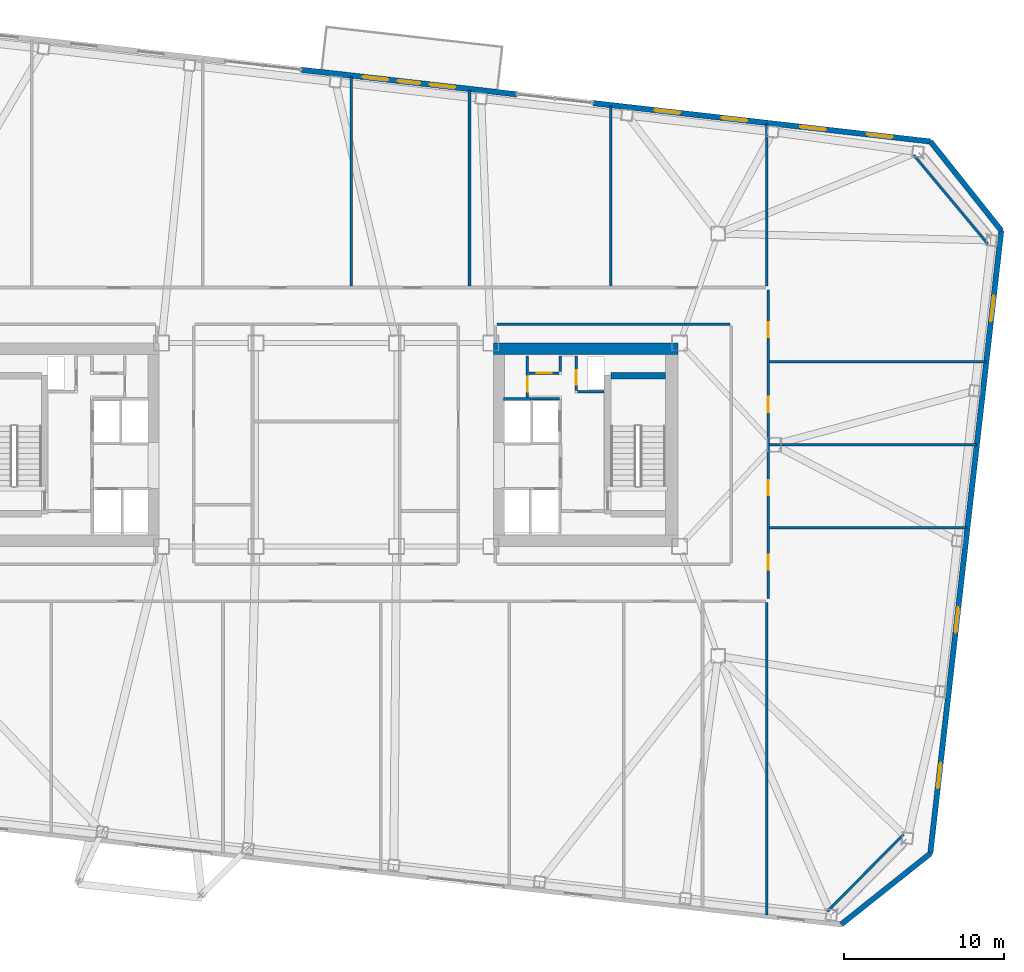
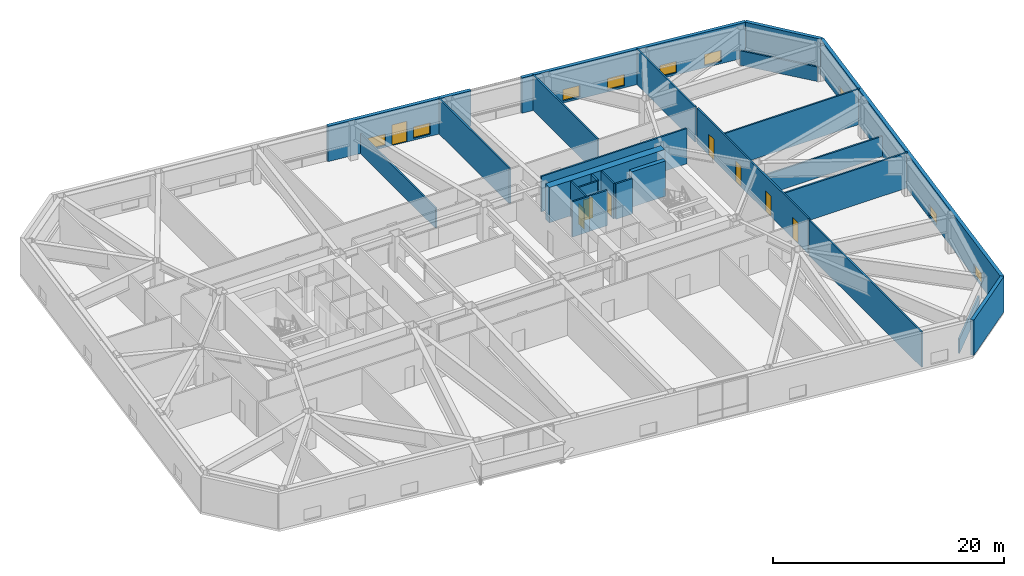
# One storey, part 14 of 21: 26 walls, 9 windows, 8 doors, 17 openings.
"""IFC4 building model written with IfcOpenShell, lengths in metres."""

from ifc_helpers import new_model, si_unit, direction, frame, frame_2d, origin, place, context, subcontext, project, spatial, rectangle, extrude, material, layer, layer_set, type_object, element, fill, save


model = new_model("IFC4")

# Units and contexts
model_context = context("Model", 3, precision=1e-05, world=origin(), true_north=direction((0.0, 1.0)))
body_context = subcontext(model_context, "Body", "Model", "MODEL_VIEW")
ifc_project = project(units=[si_unit("LENGTHUNIT", "METRE"), si_unit("AREAUNIT", "SQUARE_METRE"), si_unit("VOLUMEUNIT", "CUBIC_METRE"), si_unit("PLANEANGLEUNIT", "RADIAN"), si_unit("MASSUNIT", "GRAM", prefix="KILO")], contexts=[model_context])

# Site, building, storey
site_placement = place(None, origin())
site = spatial("IfcSite", under=ifc_project, at=site_placement, CompositionType="ELEMENT")
building_placement = place(site_placement, origin())
building = spatial("IfcBuilding", under=site, at=building_placement, Name="Tavrogorsk Clinical Tower", CompositionType="ELEMENT")
storey_placement = place(building_placement, frame((0.0, 0.0, 89.39990234375)))
storey = spatial("IfcBuildingStorey", under=building, at=storey_placement, Name="L19", CompositionType="ELEMENT", Elevation=89.39990234375)

# Wall, opening, door
ifc_material_1 = material(Name="Lightweight concrete blockwork B15", Category="masonry")
ifc_layer_1 = layer(ifc_material_1, 0.159912109375)
ifc_layer_set_1 = layer_set([ifc_layer_1], Name="Lightweight concrete blockwork B15")
wall_type_1 = type_object("IfcWallType", Name="PartitionWall_160", PredefinedType="PARTITIONING", material=ifc_layer_set_1)
wall_1_placement = place(storey_placement, frame((12.580078125, 2.9599609375, 0.0), z_axis=(0.0, 0.0, 1.0), x_axis=(0.0, 1.0, 0.0)))
wall_1 = element("IfcWall", 1, at=wall_1_placement, inside=storey, type_object=wall_type_1, Name="L19 Core East Linen Closet Wall", PredefinedType="PARTITIONING", context=body_context, shape_type="SweptSolid", body=[
    extrude(rectangle(XDim=2.60009765625, YDim=0.159912109375, at=frame_2d((1.300048828125, 0.0))), origin(), (0.0, 0.0, 1.0), 3.739990234375),
])
opening_1_placement = place(wall_1_placement, frame((0.35009765625, 0.0, 0.0)))
opening_1 = element("IfcOpeningElement", 2, at=opening_1_placement, cuts=wall_1, Name="Opening ID-02", PredefinedType="OPENING", context=body_context, shape_type="SweptSolid", body=[
    extrude(rectangle(XDim=0.949951171875, YDim=2.199951171875, at=frame_2d((0.47509765625, 1.10009765625))), frame((0.0, 0.08984375, 0.0), z_axis=(0.0, -1.0, 0.0), x_axis=(1.0, 0.0, 0.0)), (0.0, 0.0, 1.0), 0.179931640625),
])
ifc_material_2 = material(Name="Laminated timber leaf on aluminium frame", Category="wood")
door_type_1 = type_object("IfcDoorType", Name="InteriorDoor_ID02_950", OperationType="NOTDEFINED", PredefinedType="DOOR", material=ifc_material_2)
door_1_placement = place(opening_1_placement, origin())
door_1 = element("IfcDoor", 3, at=door_1_placement, inside=storey, type_object=door_type_1, Name="L19 Core East Linen Closet Door", OperationType="SINGLE_SWING_RIGHT", OverallHeight=2.199951171875, OverallWidth=0.949951171875, PredefinedType="DOOR", context=body_context, shape_type="SweptSolid", body=[
    extrude(rectangle(XDim=0.949951171875, YDim=2.199951171875, at=frame_2d((0.47509765625, 1.10009765625))), frame((0.0, 0.02490234375, 0.0), z_axis=(0.0, -1.0, 0.0), x_axis=(1.0, 0.0, 0.0)), (0.0, 0.0, 1.0), 0.050048828125),
])
fill(opening_1, door_1)

wall_2_placement = place(storey_placement, frame((12.6650390625, 4.47998046875, 0.0), z_axis=(0.0, 0.0, 1.0), x_axis=(1.0, 0.0, 0.0)))
wall_2 = element("IfcWall", 4, at=wall_2_placement, inside=storey, type_object=wall_type_1, Name="L19 Core East Housekeeping South Wall", PredefinedType="PARTITIONING", context=body_context, shape_type="SweptSolid", body=[
    extrude(rectangle(XDim=1.889892578125, YDim=0.159912109375, at=frame_2d((0.94482421875, 0.0))), origin(), (0.0, 0.0, 1.0), 3.739990234375),
])
opening_2_placement = place(wall_2_placement, frame((0.5, 0.0, 0.0)))
opening_2 = element("IfcOpeningElement", 5, at=opening_2_placement, cuts=wall_2, Name="Opening ID-02", PredefinedType="OPENING", context=body_context, shape_type="SweptSolid", body=[
    extrude(rectangle(XDim=0.949951171875, YDim=2.199951171875, at=frame_2d((0.47509765625, 1.10009765625))), frame((0.0, 0.08984375, 0.0), z_axis=(0.0, -1.0, 0.0), x_axis=(1.0, 0.0, 0.0)), (0.0, 0.0, 1.0), 0.179931640625),
])
door_2_placement = place(opening_2_placement, origin())
door_2 = element("IfcDoor", 6, at=door_2_placement, inside=storey, type_object=door_type_1, Name="L19 Core East Housekeeping Closet Door", OperationType="SINGLE_SWING_LEFT", OverallHeight=2.199951171875, OverallWidth=0.949951171875, PredefinedType="DOOR", context=body_context, shape_type="SweptSolid", body=[
    extrude(rectangle(XDim=0.949951171875, YDim=2.199951171875, at=frame_2d((0.47509765625, 1.10009765625))), frame((0.0, 0.02490234375, 0.0), z_axis=(0.0, -1.0, 0.0), x_axis=(1.0, 0.0, 0.0)), (0.0, 0.0, 1.0), 0.050048828125),
])
fill(opening_2, door_2)

# Walls
wall_3_placement = place(storey_placement, frame((14.639892578125, 4.56494140625, 0.0), z_axis=(0.0, 0.0, 1.0), x_axis=(0.0, 1.0, 0.0)))
element("IfcWall", 7, at=wall_3_placement, inside=storey, type_object=wall_type_1, Name="L19 Core East Housekeeping East Wall", PredefinedType="PARTITIONING", context=body_context, shape_type="SweptSolid", body=[
    extrude(rectangle(XDim=0.9951171875, YDim=0.159912109375, at=frame_2d((0.49755859375, 0.0))), origin(), (0.0, 0.0, 1.0), 3.739990234375),
])
wall_4_placement = place(storey_placement, frame((31.34130859375, -29.162109375, 0.0), z_axis=(0.0, 0.0, 1.0), x_axis=(0.702905898933, 0.711282853192, 0.0)))
element("IfcWall", 8, at=wall_4_placement, inside=storey, type_object=wall_type_1, Name="L19 Corner Exoskeleton Brace Furring Wall 1", PredefinedType="PARTITIONING", context=body_context, shape_type="SweptSolid", body=[
    extrude(rectangle(XDim=6.761474609375, YDim=0.159912109375, at=frame_2d((3.380859375, 0.0))), origin(), (0.0, 0.0, 1.0), 1.53515625),
])
wall_5_placement = place(storey_placement, frame((41.36083984375, 12.555908203125, 0.0), z_axis=(0.0, 0.0, 1.0), x_axis=(-0.640217638562, 0.768193579298, 0.0)))
element("IfcWall", 9, at=wall_5_placement, inside=storey, type_object=wall_type_1, Name="L19 Corner Exoskeleton Brace Furring Wall 2", PredefinedType="PARTITIONING", context=body_context, shape_type="SweptSolid", body=[
    extrude(rectangle(XDim=7.224365234375, YDim=0.159912109375, at=frame_2d((3.6123046875, 0.0))), origin(), (0.0, 0.0, 1.0), 1.53515625),
])

# Wall, openings, doors
wall_6_placement = place(storey_placement, frame((27.6298828125, 9.6650390625, 0.0), z_axis=(0.0, 0.0, 1.0), x_axis=(0.0, -1.0, 0.0)))
wall_6 = element("IfcWall", 10, at=wall_6_placement, inside=storey, type_object=wall_type_1, Name="L19 Corridor Partition 03", PredefinedType="PARTITIONING", context=body_context, shape_type="SweptSolid", body=[
    extrude(rectangle(XDim=19.280029296875, YDim=0.159912109375, at=frame_2d((9.64013671875, 0.0))), origin(), (0.0, 0.0, 1.0), 3.739990234375),
])
opening_3_placement = place(wall_6_placement, frame((16.531005859375, 0.0, 0.0)))
opening_3 = element("IfcOpeningElement", 11, at=opening_3_placement, cuts=wall_6, Name="Opening ID-02", PredefinedType="OPENING", context=body_context, shape_type="SweptSolid", body=[
    extrude(rectangle(XDim=0.949951171875, YDim=2.199951171875, at=frame_2d((0.47509765625, 1.10009765625))), frame((0.0, 0.08984375, 0.0), z_axis=(0.0, -1.0, 0.0), x_axis=(1.0, 0.0, 0.0)), (0.0, 0.0, 1.0), 0.179931640625),
])
opening_4_placement = place(wall_6_placement, frame((11.875, 0.0, 0.0)))
opening_4 = element("IfcOpeningElement", 12, at=opening_4_placement, cuts=wall_6, Name="Opening ID-02", PredefinedType="OPENING", context=body_context, shape_type="SweptSolid", body=[
    extrude(rectangle(XDim=0.949951171875, YDim=2.199951171875, at=frame_2d((0.47509765625, 1.10009765625))), frame((0.0, 0.08984375, 0.0), z_axis=(0.0, -1.0, 0.0), x_axis=(1.0, 0.0, 0.0)), (0.0, 0.0, 1.0), 0.179931640625),
])
opening_5_placement = place(wall_6_placement, frame((6.675048828125, 0.0, 0.0)))
opening_5 = element("IfcOpeningElement", 13, at=opening_5_placement, cuts=wall_6, Name="Opening ID-02", PredefinedType="OPENING", context=body_context, shape_type="SweptSolid", body=[
    extrude(rectangle(XDim=0.949951171875, YDim=2.199951171875, at=frame_2d((0.47509765625, 1.10009765625))), frame((0.0, 0.08984375, 0.0), z_axis=(0.0, -1.0, 0.0), x_axis=(1.0, 0.0, 0.0)), (0.0, 0.0, 1.0), 0.179931640625),
])
opening_6_placement = place(wall_6_placement, frame((1.994140625, 0.0, 0.0)))
opening_6 = element("IfcOpeningElement", 14, at=opening_6_placement, cuts=wall_6, Name="Opening ID-02", PredefinedType="OPENING", context=body_context, shape_type="SweptSolid", body=[
    extrude(rectangle(XDim=0.949951171875, YDim=2.199951171875, at=frame_2d((0.47509765625, 1.10009765625))), frame((0.0, 0.08984375, 0.0), z_axis=(0.0, -1.0, 0.0), x_axis=(1.0, 0.0, 0.0)), (0.0, 0.0, 1.0), 0.179931640625),
])
door_3_placement = place(opening_3_placement, origin())
door_3 = element("IfcDoor", 15, at=door_3_placement, inside=storey, type_object=door_type_1, Name="L19 E Senior Clinician Suite 1 Door", OperationType="SINGLE_SWING_RIGHT", OverallHeight=2.199951171875, OverallWidth=0.949951171875, PredefinedType="DOOR", context=body_context, shape_type="SweptSolid", body=[
    extrude(rectangle(XDim=0.949951171875, YDim=2.199951171875, at=frame_2d((0.47509765625, 1.10009765625))), frame((0.0, 0.02490234375, 0.0), z_axis=(0.0, -1.0, 0.0), x_axis=(1.0, 0.0, 0.0)), (0.0, 0.0, 1.0), 0.050048828125),
])
fill(opening_3, door_3)
door_4_placement = place(opening_4_placement, origin())
door_4 = element("IfcDoor", 16, at=door_4_placement, inside=storey, type_object=door_type_1, Name="L19 E Multidisciplinary Seminar Suite 2 Door", OperationType="SINGLE_SWING_LEFT", OverallHeight=2.199951171875, OverallWidth=0.949951171875, PredefinedType="DOOR", context=body_context, shape_type="SweptSolid", body=[
    extrude(rectangle(XDim=0.949951171875, YDim=2.199951171875, at=frame_2d((0.47509765625, 1.10009765625))), frame((0.0, 0.02490234375, 0.0), z_axis=(0.0, -1.0, 0.0), x_axis=(1.0, 0.0, 0.0)), (0.0, 0.0, 1.0), 0.050048828125),
])
fill(opening_4, door_4)
door_5_placement = place(opening_5_placement, origin())
door_5 = element("IfcDoor", 17, at=door_5_placement, inside=storey, type_object=door_type_1, Name="L19 E Specialist Consultation Room 3 Door", OperationType="SINGLE_SWING_RIGHT", OverallHeight=2.199951171875, OverallWidth=0.949951171875, PredefinedType="DOOR", context=body_context, shape_type="SweptSolid", body=[
    extrude(rectangle(XDim=0.949951171875, YDim=2.199951171875, at=frame_2d((0.47509765625, 1.10009765625))), frame((0.0, 0.02490234375, 0.0), z_axis=(0.0, -1.0, 0.0), x_axis=(1.0, 0.0, 0.0)), (0.0, 0.0, 1.0), 0.050048828125),
])
fill(opening_5, door_5)
door_6_placement = place(opening_6_placement, origin())
door_6 = element("IfcDoor", 18, at=door_6_placement, inside=storey, type_object=door_type_1, Name="L19 E Clinical Fellows' Study 4 Door", OperationType="SINGLE_SWING_LEFT", OverallHeight=2.199951171875, OverallWidth=0.949951171875, PredefinedType="DOOR", context=body_context, shape_type="SweptSolid", body=[
    extrude(rectangle(XDim=0.949951171875, YDim=2.199951171875, at=frame_2d((0.47509765625, 1.10009765625))), frame((0.0, 0.02490234375, 0.0), z_axis=(0.0, -1.0, 0.0), x_axis=(1.0, 0.0, 0.0)), (0.0, 0.0, 1.0), 0.050048828125),
])
fill(opening_6, door_6)

# Walls
wall_7_placement = place(storey_placement, frame((25.235107421875, 7.52001953125, 0.0), z_axis=(0.0, 0.0, 1.0), x_axis=(-1.0, 0.0, 0.0)))
element("IfcWall", 19, at=wall_7_placement, inside=storey, type_object=wall_type_1, Name="L19 Corridor Partition 05", PredefinedType="PARTITIONING", context=body_context, shape_type="SweptSolid", body=[
    extrude(rectangle(XDim=14.570068359375, YDim=0.159912109375, at=frame_2d((7.28515625, 0.0))), origin(), (0.0, 0.0, 1.0), 3.739990234375),
])
wall_8_placement = place(storey_placement, frame((27.550048828125, 9.9150390625, 0.0), z_axis=(0.0, 0.0, 1.0), x_axis=(0.0, 1.0, 0.0)))
element("IfcWall", 20, at=wall_8_placement, inside=storey, type_object=wall_type_1, Name="L19 NE Wing Closure Partition", PredefinedType="PARTITIONING", context=body_context, shape_type="SweptSolid", body=[
    extrude(rectangle(XDim=10.138427734375, YDim=0.159912109375, at=frame_2d((5.0693359375, 0.0))), origin(), (0.0, 0.0, 1.0), 3.739990234375),
])
wall_9_placement = place(storey_placement, frame((27.550048828125, -29.384521484375, 0.0), z_axis=(0.0, 0.0, 1.0), x_axis=(0.0, 1.0, 0.0)))
element("IfcWall", 21, at=wall_9_placement, inside=storey, type_object=wall_type_1, Name="L19 SE Wing Closure Partition", PredefinedType="PARTITIONING", context=body_context, shape_type="SweptSolid", body=[
    extrude(rectangle(XDim=19.51953125, YDim=0.159912109375, at=frame_2d((9.759765625, 0.0))), origin(), (0.0, 0.0, 1.0), 3.739990234375),
])
wall_10_placement = place(storey_placement, frame((1.56005859375, 9.9150390625, 0.0), z_axis=(0.0, 0.0, 1.0), x_axis=(0.0, 1.0, 0.0)))
element("IfcWall", 22, at=wall_10_placement, inside=storey, type_object=wall_type_1, Name="L19 North Room Partition 2", PredefinedType="PARTITIONING", context=body_context, shape_type="SweptSolid", body=[
    extrude(rectangle(XDim=13.099609375, YDim=0.159912109375, at=frame_2d((6.5498046875, 0.0))), origin(), (0.0, 0.0, 1.0), 2.135009765625),
])
wall_11_placement = place(storey_placement, frame((8.9599609375, 9.9150390625, 0.0), z_axis=(0.0, 0.0, 1.0), x_axis=(0.0, 1.0, 0.0)))
element("IfcWall", 23, at=wall_11_placement, inside=storey, type_object=wall_type_1, Name="L19 North Room Partition 3", PredefinedType="PARTITIONING", context=body_context, shape_type="SweptSolid", body=[
    extrude(rectangle(XDim=12.25634765625, YDim=0.159912109375, at=frame_2d((6.128173828125, 0.0))), origin(), (0.0, 0.0, 1.0), 3.739990234375),
])
wall_12_placement = place(storey_placement, frame((17.800048828125, 9.9150390625, 0.0), z_axis=(0.0, 0.0, 1.0), x_axis=(0.0, 1.0, 0.0)))
element("IfcWall", 24, at=wall_12_placement, inside=storey, type_object=wall_type_1, Name="L19 North Room Partition 4", PredefinedType="PARTITIONING", context=body_context, shape_type="SweptSolid", body=[
    extrude(rectangle(XDim=11.249267578125, YDim=0.159912109375, at=frame_2d((5.62451171875, 0.0))), origin(), (0.0, 0.0, 1.0), 3.739990234375),
])
wall_13_placement = place(storey_placement, frame((27.715087890625, -5.199951171875, 0.0), z_axis=(0.0, 0.0, 1.0), x_axis=(1.0, 0.0, 0.0)))
element("IfcWall", 25, at=wall_13_placement, inside=storey, type_object=wall_type_1, Name="L19 E Wing Divider 1", PredefinedType="PARTITIONING", context=body_context, shape_type="SweptSolid", body=[
    extrude(rectangle(XDim=12.35205078125, YDim=0.159912109375, at=frame_2d((6.176025390625, 0.0))), origin(), (0.0, 0.0, 1.0), 3.739990234375),
])
wall_14_placement = place(storey_placement, frame((27.715087890625, 0.0, 0.0), z_axis=(0.0, 0.0, 1.0), x_axis=(1.0, 0.0, 0.0)))
element("IfcWall", 26, at=wall_14_placement, inside=storey, type_object=wall_type_1, Name="L19 E Wing Divider 2", PredefinedType="PARTITIONING", context=body_context, shape_type="SweptSolid", body=[
    extrude(rectangle(XDim=12.944580078125, YDim=0.159912109375, at=frame_2d((6.47216796875, 0.0))), origin(), (0.0, 0.0, 1.0), 2.135009765625),
])
wall_15_placement = place(storey_placement, frame((27.715087890625, 5.199951171875, 0.0), z_axis=(0.0, 0.0, 1.0), x_axis=(1.0, 0.0, 0.0)))
element("IfcWall", 27, at=wall_15_placement, inside=storey, type_object=wall_type_1, Name="L19 E Wing Divider 3", PredefinedType="PARTITIONING", context=body_context, shape_type="SweptSolid", body=[
    extrude(rectangle(XDim=13.537109375, YDim=0.159912109375, at=frame_2d((6.7685546875, 0.0))), origin(), (0.0, 0.0, 1.0), 3.739990234375),
])

# Wall, openings, windows
ifc_material_3 = material(Name="Precast concrete B45 with limestone cladding", Category="masonry")
ifc_layer_2 = layer(ifc_material_3, 0.340087890625)
ifc_layer_set_2 = layer_set([ifc_layer_2], Name="Precast concrete B45 with limestone cladding")
wall_type_2 = type_object("IfcWallType", Name="PrecastLimestoneWall_340", PredefinedType="STANDARD", material=ifc_layer_set_2)
wall_16_placement = place(storey_placement, frame((37.77734375, 18.95849609375, 0.0), z_axis=(0.0, 0.0, 1.0), x_axis=(-0.993571362037, 0.113207546299, 0.0)))
wall_16 = element("IfcWall", 28, at=wall_16_placement, inside=storey, type_object=wall_type_2, Name="L19 N Limestone Facade Wall 1", PredefinedType="STANDARD", context=body_context, shape_type="SweptSolid", body=[
    extrude(rectangle(XDim=21.222900390625, YDim=0.340087890625, at=frame_2d((10.611328125, 0.0))), origin(), (0.0, 0.0, 1.0), 3.739990234375),
])
opening_7_placement = place(wall_16_placement, frame((15.75634765625, 0.0, 0.219970703125)))
opening_7 = element("IfcOpeningElement", 29, at=opening_7_placement, cuts=wall_16, Name="Opening WN-09", PredefinedType="OPENING", context=body_context, shape_type="SweptSolid", body=[
    extrude(rectangle(XDim=1.60009765625, YDim=1.199951171875, at=frame_2d((0.800048828125, 0.60009765625))), frame((0.0, 0.179931640625, 0.0), z_axis=(0.0, -1.0, 0.0), x_axis=(1.0, 0.0, 0.0)), (0.0, 0.0, 1.0), 0.360107421875),
])
opening_8_placement = place(wall_16_placement, frame((11.534912109375, 0.0, 0.219970703125)))
opening_8 = element("IfcOpeningElement", 30, at=opening_8_placement, cuts=wall_16, Name="Opening WN-09", PredefinedType="OPENING", context=body_context, shape_type="SweptSolid", body=[
    extrude(rectangle(XDim=1.60009765625, YDim=1.199951171875, at=frame_2d((0.800048828125, 0.60009765625))), frame((0.0, 0.179931640625, 0.0), z_axis=(0.0, -1.0, 0.0), x_axis=(1.0, 0.0, 0.0)), (0.0, 0.0, 1.0), 0.360107421875),
])
opening_9_placement = place(wall_16_placement, frame((6.585693359375, 0.0, 0.219970703125)))
opening_9 = element("IfcOpeningElement", 31, at=opening_9_placement, cuts=wall_16, Name="Opening WN-09", PredefinedType="OPENING", context=body_context, shape_type="SweptSolid", body=[
    extrude(rectangle(XDim=1.60009765625, YDim=1.199951171875, at=frame_2d((0.800048828125, 0.60009765625))), frame((0.0, 0.179931640625, 0.0), z_axis=(0.0, -1.0, 0.0), x_axis=(1.0, 0.0, 0.0)), (0.0, 0.0, 1.0), 0.360107421875),
])
opening_10_placement = place(wall_16_placement, frame((2.375244140625, 0.0, 0.219970703125)))
opening_10 = element("IfcOpeningElement", 32, at=opening_10_placement, cuts=wall_16, Name="Opening WN-09", PredefinedType="OPENING", context=body_context, shape_type="SweptSolid", body=[
    extrude(rectangle(XDim=1.60009765625, YDim=1.199951171875, at=frame_2d((0.800048828125, 0.60009765625))), frame((0.0, 0.179931640625, 0.0), z_axis=(0.0, -1.0, 0.0), x_axis=(1.0, 0.0, 0.0)), (0.0, 0.0, 1.0), 0.360107421875),
])
ifc_material_4 = material(Name="Thermally broken aluminium frame and triple IGU", Category="aluminium")
window_type = type_object("IfcWindowType", Name="LowHeadTransWin_1600x1200", PartitioningType="DOUBLE_PANEL_VERTICAL", PredefinedType="WINDOW", material=ifc_material_4)
window_1_placement = place(opening_7_placement, origin())
window_1 = element("IfcWindow", 33, at=window_1_placement, inside=storey, type_object=window_type, Name="L19 N Chicago Window 07", OverallHeight=1.199951171875, OverallWidth=1.60009765625, PartitioningType="SINGLE_PANEL", PredefinedType="WINDOW", context=body_context, shape_type="SweptSolid", body=[
    extrude(rectangle(XDim=1.60009765625, YDim=1.199951171875, at=frame_2d((0.800048828125, 0.60009765625))), frame((0.0, 0.030029296875, 0.0), z_axis=(0.0, -1.0, 0.0), x_axis=(1.0, 0.0, 0.0)), (0.0, 0.0, 1.0), 0.06005859375),
])
fill(opening_7, window_1)
window_2_placement = place(opening_8_placement, origin())
window_2 = element("IfcWindow", 34, at=window_2_placement, inside=storey, type_object=window_type, Name="L19 N Chicago Window 08", OverallHeight=1.199951171875, OverallWidth=1.60009765625, PartitioningType="SINGLE_PANEL", PredefinedType="WINDOW", context=body_context, shape_type="SweptSolid", body=[
    extrude(rectangle(XDim=1.60009765625, YDim=1.199951171875, at=frame_2d((0.800048828125, 0.60009765625))), frame((0.0, 0.030029296875, 0.0), z_axis=(0.0, -1.0, 0.0), x_axis=(1.0, 0.0, 0.0)), (0.0, 0.0, 1.0), 0.06005859375),
])
fill(opening_8, window_2)
window_3_placement = place(opening_9_placement, origin())
window_3 = element("IfcWindow", 35, at=window_3_placement, inside=storey, type_object=window_type, Name="L19 N Chicago Window 09", OverallHeight=1.199951171875, OverallWidth=1.60009765625, PartitioningType="SINGLE_PANEL", PredefinedType="WINDOW", context=body_context, shape_type="SweptSolid", body=[
    extrude(rectangle(XDim=1.60009765625, YDim=1.199951171875, at=frame_2d((0.800048828125, 0.60009765625))), frame((0.0, 0.030029296875, 0.0), z_axis=(0.0, -1.0, 0.0), x_axis=(1.0, 0.0, 0.0)), (0.0, 0.0, 1.0), 0.06005859375),
])
fill(opening_9, window_3)
window_4_placement = place(opening_10_placement, origin())
window_4 = element("IfcWindow", 36, at=window_4_placement, inside=storey, type_object=window_type, Name="L19 N Chicago Window 10", OverallHeight=1.199951171875, OverallWidth=1.60009765625, PartitioningType="SINGLE_PANEL", PredefinedType="WINDOW", context=body_context, shape_type="SweptSolid", body=[
    extrude(rectangle(XDim=1.60009765625, YDim=1.199951171875, at=frame_2d((0.800048828125, 0.60009765625))), frame((0.0, 0.030029296875, 0.0), z_axis=(0.0, -1.0, 0.0), x_axis=(1.0, 0.0, 0.0)), (0.0, 0.0, 1.0), 0.06005859375),
])
fill(opening_10, window_4)

# Wall, openings, windows, door
wall_17_placement = place(storey_placement, frame((11.921875, 21.904541015625, 0.0), z_axis=(0.0, 0.0, 1.0), x_axis=(-0.993571685551, 0.11320470693, 0.0)))
wall_17 = element("IfcWall", 37, at=wall_17_placement, inside=storey, type_object=wall_type_2, Name="L19 N Limestone Facade Wall 2", PredefinedType="STANDARD", context=body_context, shape_type="SweptSolid", body=[
    extrude(rectangle(XDim=13.554443359375, YDim=0.340087890625, at=frame_2d((6.77734375, 0.0))), origin(), (0.0, 0.0, 1.0), 3.739990234375),
])
opening_11_placement = place(wall_17_placement, frame((6.0771484375, 0.0, 0.0)))
opening_11 = element("IfcOpeningElement", 38, at=opening_11_placement, cuts=wall_17, Name="Opening ED-03", PredefinedType="OPENING", context=body_context, shape_type="SweptSolid", body=[
    extrude(rectangle(XDim=1.39990234375, YDim=2.199951171875, at=frame_2d((0.699951171875, 1.10009765625))), frame((0.0, 0.179931640625, 0.0), z_axis=(0.0, -1.0, 0.0), x_axis=(1.0, 0.0, 0.0)), (0.0, 0.0, 1.0), 0.360107421875),
])
opening_12_placement = place(wall_17_placement, frame((8.087890625, 0.0, 0.219970703125)))
opening_12 = element("IfcOpeningElement", 39, at=opening_12_placement, cuts=wall_17, Name="Opening WN-09", PredefinedType="OPENING", context=body_context, shape_type="SweptSolid", body=[
    extrude(rectangle(XDim=1.60009765625, YDim=1.199951171875, at=frame_2d((0.800048828125, 0.60009765625))), frame((0.0, 0.179931640625, 0.0), z_axis=(0.0, -1.0, 0.0), x_axis=(1.0, 0.0, 0.0)), (0.0, 0.0, 1.0), 0.360107421875),
])
opening_13_placement = place(wall_17_placement, frame((3.866455078125, 0.0, 0.219970703125)))
opening_13 = element("IfcOpeningElement", 40, at=opening_13_placement, cuts=wall_17, Name="Opening WN-09", PredefinedType="OPENING", context=body_context, shape_type="SweptSolid", body=[
    extrude(rectangle(XDim=1.60009765625, YDim=1.199951171875, at=frame_2d((0.800048828125, 0.60009765625))), frame((0.0, 0.179931640625, 0.0), z_axis=(0.0, -1.0, 0.0), x_axis=(1.0, 0.0, 0.0)), (0.0, 0.0, 1.0), 0.360107421875),
])
window_5_placement = place(opening_12_placement, origin())
window_5 = element("IfcWindow", 41, at=window_5_placement, inside=storey, type_object=window_type, Name="L19 N Chicago Window 05", OverallHeight=1.199951171875, OverallWidth=1.60009765625, PartitioningType="SINGLE_PANEL", PredefinedType="WINDOW", context=body_context, shape_type="SweptSolid", body=[
    extrude(rectangle(XDim=1.60009765625, YDim=1.199951171875, at=frame_2d((0.800048828125, 0.60009765625))), frame((0.0, 0.030029296875, 0.0), z_axis=(0.0, -1.0, 0.0), x_axis=(1.0, 0.0, 0.0)), (0.0, 0.0, 1.0), 0.06005859375),
])
fill(opening_12, window_5)
window_6_placement = place(opening_13_placement, origin())
window_6 = element("IfcWindow", 42, at=window_6_placement, inside=storey, type_object=window_type, Name="L19 N Chicago Window 06", OverallHeight=1.199951171875, OverallWidth=1.60009765625, PartitioningType="SINGLE_PANEL", PredefinedType="WINDOW", context=body_context, shape_type="SweptSolid", body=[
    extrude(rectangle(XDim=1.60009765625, YDim=1.199951171875, at=frame_2d((0.800048828125, 0.60009765625))), frame((0.0, 0.030029296875, 0.0), z_axis=(0.0, -1.0, 0.0), x_axis=(1.0, 0.0, 0.0)), (0.0, 0.0, 1.0), 0.06005859375),
])
fill(opening_13, window_6)
ifc_material_5 = material(Name="Thermally broken aluminium and laminated safety glass", Category="aluminium")
door_type_2 = type_object("IfcDoorType", Name="TerraceGlassDoor_ED03_1400", OperationType="DOUBLE_SWING_LEFT", PredefinedType="DOOR", material=ifc_material_5)
door_7_placement = place(opening_11_placement, origin())
door_7 = element("IfcDoor", 43, at=door_7_placement, inside=storey, type_object=door_type_2, Name="L19 Spiralling Recuperation Terrace Door ED-03", OperationType="DOUBLE_SWING_LEFT", OverallHeight=2.199951171875, OverallWidth=1.39990234375, PredefinedType="DOOR", context=body_context, shape_type="SweptSolid", body=[
    extrude(rectangle(XDim=1.39990234375, YDim=2.199951171875, at=frame_2d((0.699951171875, 1.10009765625))), frame((0.0, 0.02490234375, 0.0), z_axis=(0.0, -1.0, 0.0), x_axis=(1.0, 0.0, 0.0)), (0.0, 0.0, 1.0), 0.050048828125),
])
fill(opening_11, door_7)

# Wall, openings, windows
wall_18_placement = place(storey_placement, frame((37.76806640625, -25.556396484375, 0.0), z_axis=(0.0, 0.0, 1.0), x_axis=(0.113201605824, 0.993572038877, 0.0)))
wall_18 = element("IfcWall", 44, at=wall_18_placement, inside=storey, type_object=wall_type_2, Name="L19 E Pleated Limestone Wing Wall", PredefinedType="STANDARD", context=body_context, shape_type="SweptSolid", body=[
    extrude(rectangle(XDim=39.199951171875, YDim=0.340087890625, at=frame_2d((19.60009765625, 0.0))), origin(), (0.0, 0.0, 1.0), 3.739990234375),
])
opening_14_placement = place(wall_18_placement, frame((4.10009765625, 0.0, 0.219970703125)))
opening_14 = element("IfcOpeningElement", 45, at=opening_14_placement, cuts=wall_18, Name="Opening WN-09", PredefinedType="OPENING", context=body_context, shape_type="SweptSolid", body=[
    extrude(rectangle(XDim=1.60009765625, YDim=1.199951171875, at=frame_2d((0.800048828125, 0.60009765625))), frame((0.0, 0.179931640625, 0.0), z_axis=(0.0, -1.0, 0.0), x_axis=(1.0, 0.0, 0.0)), (0.0, 0.0, 1.0), 0.360107421875),
])
opening_15_placement = place(wall_18_placement, frame((13.89990234375, 0.0, 0.219970703125)))
opening_15 = element("IfcOpeningElement", 46, at=opening_15_placement, cuts=wall_18, Name="Opening WN-09", PredefinedType="OPENING", context=body_context, shape_type="SweptSolid", body=[
    extrude(rectangle(XDim=1.60009765625, YDim=1.199951171875, at=frame_2d((0.800048828125, 0.60009765625))), frame((0.0, 0.179931640625, 0.0), z_axis=(0.0, -1.0, 0.0), x_axis=(1.0, 0.0, 0.0)), (0.0, 0.0, 1.0), 0.360107421875),
])
opening_16_placement = place(wall_18_placement, frame((33.5, 0.0, 0.219970703125)))
opening_16 = element("IfcOpeningElement", 47, at=opening_16_placement, cuts=wall_18, Name="Opening WN-09", PredefinedType="OPENING", context=body_context, shape_type="SweptSolid", body=[
    extrude(rectangle(XDim=1.60009765625, YDim=1.199951171875, at=frame_2d((0.800048828125, 0.60009765625))), frame((0.0, 0.179931640625, 0.0), z_axis=(0.0, -1.0, 0.0), x_axis=(1.0, 0.0, 0.0)), (0.0, 0.0, 1.0), 0.360107421875),
])
window_7_placement = place(opening_14_placement, origin())
window_7 = element("IfcWindow", 48, at=window_7_placement, inside=storey, type_object=window_type, Name="L19 E Pleat Slot Window 1", OverallHeight=1.199951171875, OverallWidth=1.60009765625, PartitioningType="SINGLE_PANEL", PredefinedType="WINDOW", context=body_context, shape_type="SweptSolid", body=[
    extrude(rectangle(XDim=1.60009765625, YDim=1.199951171875, at=frame_2d((0.800048828125, 0.60009765625))), frame((0.0, 0.030029296875, 0.0), z_axis=(0.0, -1.0, 0.0), x_axis=(1.0, 0.0, 0.0)), (0.0, 0.0, 1.0), 0.06005859375),
])
fill(opening_14, window_7)
window_8_placement = place(opening_15_placement, origin())
window_8 = element("IfcWindow", 49, at=window_8_placement, inside=storey, type_object=window_type, Name="L19 E Pleat Slot Window 2", OverallHeight=1.199951171875, OverallWidth=1.60009765625, PartitioningType="SINGLE_PANEL", PredefinedType="WINDOW", context=body_context, shape_type="SweptSolid", body=[
    extrude(rectangle(XDim=1.60009765625, YDim=1.199951171875, at=frame_2d((0.800048828125, 0.60009765625))), frame((0.0, 0.030029296875, 0.0), z_axis=(0.0, -1.0, 0.0), x_axis=(1.0, 0.0, 0.0)), (0.0, 0.0, 1.0), 0.06005859375),
])
fill(opening_15, window_8)
window_9_placement = place(opening_16_placement, origin())
window_9 = element("IfcWindow", 50, at=window_9_placement, inside=storey, type_object=window_type, Name="L19 E Pleat Slot Window 4", OverallHeight=1.199951171875, OverallWidth=1.60009765625, PartitioningType="SINGLE_PANEL", PredefinedType="WINDOW", context=body_context, shape_type="SweptSolid", body=[
    extrude(rectangle(XDim=1.60009765625, YDim=1.199951171875, at=frame_2d((0.800048828125, 0.60009765625))), frame((0.0, 0.030029296875, 0.0), z_axis=(0.0, -1.0, 0.0), x_axis=(1.0, 0.0, 0.0)), (0.0, 0.0, 1.0), 0.06005859375),
])
fill(opening_16, window_9)

# Walls
wall_19_placement = place(storey_placement, frame((32.200927734375, -29.984619140625, 0.0), z_axis=(0.0, 0.0, 1.0), x_axis=(0.78261359446, 0.622507800567, 0.0)))
element("IfcWall", 51, at=wall_19_placement, inside=storey, type_object=wall_type_2, Name="L19 Chamfered Corner Wall 1", PredefinedType="STANDARD", context=body_context, shape_type="SweptSolid", body=[
    extrude(rectangle(XDim=7.113525390625, YDim=0.340087890625, at=frame_2d((3.556640625, 0.0))), origin(), (0.0, 0.0, 1.0), 3.739990234375),
])
wall_20_placement = place(storey_placement, frame((42.20556640625, 13.3916015625, 0.0), z_axis=(0.0, 0.0, 1.0), x_axis=(-0.622524521309, 0.782600294128, 0.0)))
element("IfcWall", 52, at=wall_20_placement, inside=storey, type_object=wall_type_2, Name="L19 Chamfered Corner Wall 2", PredefinedType="STANDARD", context=body_context, shape_type="SweptSolid", body=[
    extrude(rectangle(XDim=7.11328125, YDim=0.340087890625, at=frame_2d((3.556640625, 0.0))), origin(), (0.0, 0.0, 1.0), 3.739990234375),
])
ifc_material_6 = material(Name="Lightweight concrete blockwork B25", Category="masonry")
ifc_layer_3 = layer(ifc_material_6, 0.159912109375)
ifc_layer_set_3 = layer_set([ifc_layer_3], Name="Lightweight concrete blockwork B25")
wall_type_3 = type_object("IfcWallType", Name="ShaftWall_160", PredefinedType="PARTITIONING", material=ifc_layer_set_3)
wall_21_placement = place(storey_placement, frame((12.840087890625, 2.8798828125, 0.0), z_axis=(0.0, 0.0, 1.0), x_axis=(1.0, 0.0, 0.0)))
element("IfcWall", 53, at=wall_21_placement, inside=storey, type_object=wall_type_3, Name="L19 FFL-E Shaft North Wall", PredefinedType="PARTITIONING", context=body_context, shape_type="SweptSolid", body=[
    extrude(rectangle(XDim=1.760009765625, YDim=0.159912109375, at=frame_2d((0.8798828125, 0.0))), origin(), (0.0, 0.0, 1.0), 3.739990234375),
])
wall_22_placement = place(storey_placement, frame((11.10009765625, 2.860107421875, 0.0), z_axis=(0.0, 0.0, 1.0), x_axis=(1.0, 0.0, 0.0)))
element("IfcWall", 54, at=wall_22_placement, inside=storey, type_object=wall_type_3, Name="L19 LP-H2 High-Zone Lift Rear Wall", PredefinedType="PARTITIONING", context=body_context, shape_type="SweptSolid", body=[
    extrude(rectangle(XDim=1.719970703125, YDim=0.159912109375, at=frame_2d((0.85986328125, 0.0))), origin(), (0.0, 0.0, 1.0), 3.739990234375),
])

# Wall, opening, door
wall_23_placement = place(storey_placement, frame((15.639892578125, 3.405029296875, 0.0), z_axis=(0.0, 0.0, 1.0), x_axis=(0.0, 1.0, 0.0)))
wall_23 = element("IfcWall", 55, at=wall_23_placement, inside=storey, type_object=wall_type_3, Name="L19 Core East Riser West Wall", PredefinedType="PARTITIONING", context=body_context, shape_type="SweptSolid", body=[
    extrude(rectangle(XDim=2.155029296875, YDim=0.159912109375, at=frame_2d((1.07763671875, 0.0))), origin(), (0.0, 0.0, 1.0), 3.739990234375),
])
opening_17_placement = place(wall_23_placement, frame((0.35009765625, 0.0, 0.0)))
opening_17 = element("IfcOpeningElement", 56, at=opening_17_placement, cuts=wall_23, Name="Opening FD-02", PredefinedType="OPENING", context=body_context, shape_type="SweptSolid", body=[
    extrude(rectangle(XDim=0.89990234375, YDim=2.199951171875, at=frame_2d((0.449951171875, 1.10009765625))), frame((0.0, 0.08984375, 0.0), z_axis=(0.0, -1.0, 0.0), x_axis=(1.0, 0.0, 0.0)), (0.0, 0.0, 1.0), 0.179931640625),
])
ifc_material_7 = material(Name="Galvanised steel fire-rated door assembly", Category="steel")
door_type_3 = type_object("IfcDoorType", Name="FireDoor_FD02_900", OperationType="NOTDEFINED", PredefinedType="DOOR", material=ifc_material_7)
door_8_placement = place(opening_17_placement, origin())
door_8 = element("IfcDoor", 57, at=door_8_placement, inside=storey, type_object=door_type_3, Name="L19 Core East Electrical Riser Access Door", OperationType="SINGLE_SWING_RIGHT", OverallHeight=2.199951171875, OverallWidth=0.89990234375, PredefinedType="DOOR", context=body_context, shape_type="SweptSolid", body=[
    extrude(rectangle(XDim=0.89990234375, YDim=2.199951171875, at=frame_2d((0.449951171875, 1.10009765625))), frame((0.0, 0.02490234375, 0.0), z_axis=(0.0, -1.0, 0.0), x_axis=(1.0, 0.0, 0.0)), (0.0, 0.0, 1.0), 0.050048828125),
])
fill(opening_17, door_8)

# Walls
wall_24_placement = place(storey_placement, frame((15.72509765625, 3.320068359375, 0.0), z_axis=(0.0, 0.0, 1.0), x_axis=(1.0, 0.0, 0.0)))
element("IfcWall", 58, at=wall_24_placement, inside=storey, type_object=wall_type_3, Name="L19 Core East Riser South Wall", PredefinedType="PARTITIONING", context=body_context, shape_type="SweptSolid", body=[
    extrude(rectangle(XDim=1.65478515625, YDim=0.159912109375, at=frame_2d((0.827392578125, 0.0))), origin(), (0.0, 0.0, 1.0), 3.739990234375),
])
ifc_material_8 = material(Name="Concrete B80", Category="concrete")
ifc_layer_4 = layer(ifc_material_8, 0.39990234375)
ifc_layer_set_4 = layer_set([ifc_layer_4], Name="Concrete B80")
wall_type_4 = type_object("IfcWallType", Name="ShearWall_400", PredefinedType="SHEAR", material=ifc_layer_set_4)
wall_25_placement = place(storey_placement, frame((17.800048828125, 4.324951171875, 0.0), z_axis=(0.0, 0.0, 1.0), x_axis=(1.0, 0.0, 0.0)))
element("IfcWall", 59, at=wall_25_placement, inside=storey, type_object=wall_type_4, Name="L19 Core East Stair Shaft North Shear Wall", PredefinedType="SHEAR", context=body_context, shape_type="SweptSolid", body=[
    extrude(rectangle(XDim=3.39990234375, YDim=0.39990234375, at=frame_2d((1.699951171875, 0.0))), origin(), (0.0, 0.0, 1.0), 3.739990234375),
])
ifc_material_9 = material(Name="Concrete B80", Category="concrete")
ifc_layer_5 = layer(ifc_material_9, 0.699951171875)
ifc_layer_set_5 = layer_set([ifc_layer_5], Name="Concrete B80")
wall_type_5 = type_object("IfcWallType", Name="ShearWall_700", PredefinedType="SHEAR", material=ifc_layer_set_5)
wall_26_placement = place(storey_placement, frame((10.449951171875, 6.0, 0.0), z_axis=(0.0, 0.0, 1.0), x_axis=(1.0, 0.0, 0.0)))
element("IfcWall", 60, at=wall_26_placement, inside=storey, type_object=wall_type_5, Name="L19 Core East North Shear Wall", PredefinedType="SHEAR", context=body_context, shape_type="SweptSolid", body=[
    extrude(rectangle(XDim=11.550048828125, YDim=0.699951171875, at=frame_2d((5.77490234375, 0.0))), origin(), (0.0, 0.0, 1.0), 3.739990234375),
])

save(model, "model.ifc")
